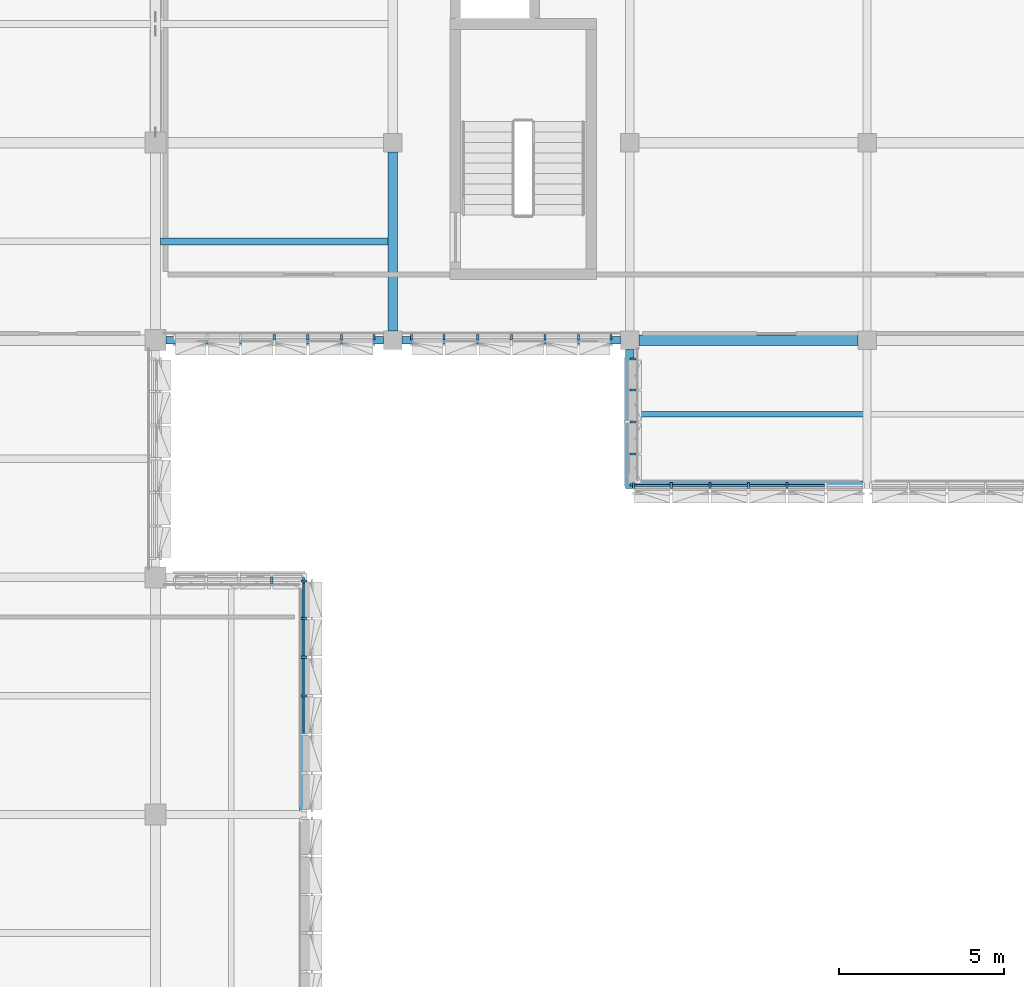
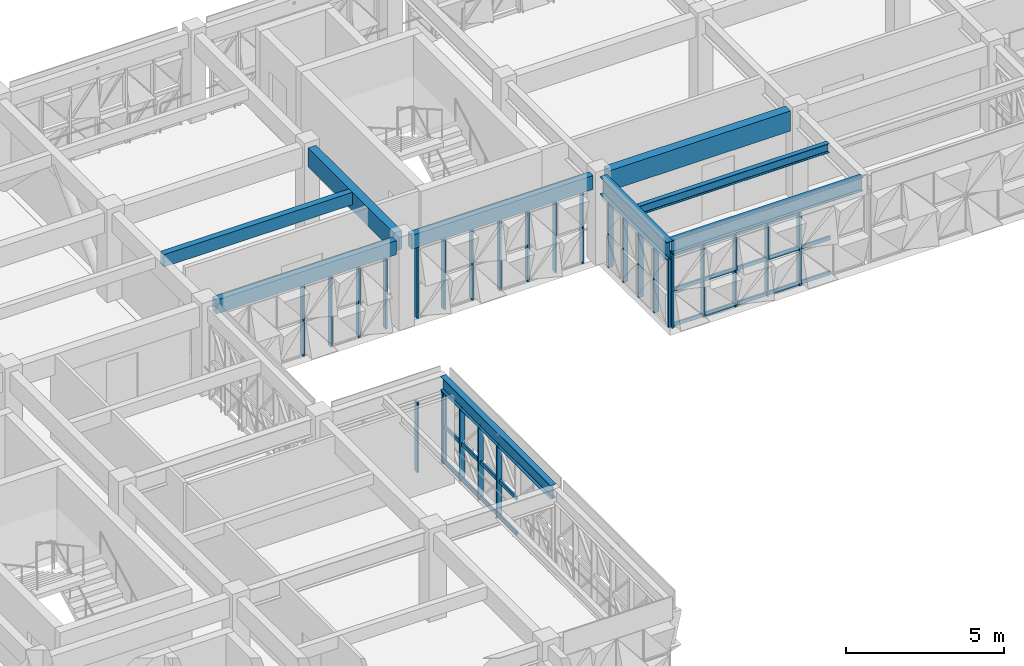
# One storey, part 8 of 85: 53 members, 9 beams, 6 elements without a shape of their own.
"""IFC4 building model written with IfcOpenShell, lengths in metres."""

from ifc_helpers import new_model, si_unit, direction, frame, origin, origin_2d, place, context, subcontext, project, spatial, rectangle, i_section, extrude, material, material_profile, profile_set, type_object, element, aggregate, save


model = new_model("IFC4")

# Units and contexts
model_context = context("Model", 3, precision=1e-05, world=origin(), true_north=direction((0.0, 1.0)))
body_context = subcontext(model_context, "Body", "Model", "MODEL_VIEW")
ifc_project = project(units=[si_unit("LENGTHUNIT", "METRE"), si_unit("AREAUNIT", "SQUARE_METRE"), si_unit("VOLUMEUNIT", "CUBIC_METRE"), si_unit("PLANEANGLEUNIT", "RADIAN"), si_unit("MASSUNIT", "GRAM", prefix="KILO")], contexts=[model_context])

# Site, building, storey
site_placement = place(None, origin())
site = spatial("IfcSite", under=ifc_project, at=site_placement, CompositionType="ELEMENT")
building_placement = place(site_placement, origin())
building = spatial("IfcBuilding", under=site, at=building_placement, Name="Alvorim Cloister Faculty of Sciences", CompositionType="ELEMENT")
storey_placement = place(building_placement, frame((0.0, 0.0, 8.550048828125)))
storey = spatial("IfcBuildingStorey", under=building, at=storey_placement, Name="L02", CompositionType="ELEMENT", Elevation=8.550048828125)

# Beams
ifc_material_1 = material(Name="Glulam GL32h", Category="wood")
ifc_material_profile_1 = material_profile(ifc_material_1, rectangle(XDim=0.300048828125, YDim=0.719970703125, at=origin_2d()), Name="GL32-BM-300x720")
ifc_profile_set_1 = profile_set([ifc_material_profile_1], Name="Glulam GL32h")
beam_type_1 = type_object("IfcBeamType", Name="BM-GL-300x720", PredefinedType="BEAM", material=ifc_profile_set_1)
beam_1_placement = place(storey_placement, frame((36.0, 43.47998046875, 3.030029296875), z_axis=(0.0, 1.0, 0.0), x_axis=(-1.0, 0.0, 0.0)))
element("IfcBeam", 1, at=beam_1_placement, inside=storey, type_object=beam_type_1, Name="L02 Primary Girder BM-1411", PredefinedType="BEAM", context=body_context, shape_type="SweptSolid", body=[
    extrude(rectangle(XDim=0.300048828125, YDim=0.719970703125, at=origin_2d()), origin(), (0.0, 0.0, 1.0), 5.43994140625),
])
ifc_material_profile_2 = material_profile(ifc_material_1, rectangle(XDim=0.320068359375, YDim=0.780029296875, at=origin_2d()), Name="GL32-BM-320x780")
ifc_profile_set_2 = profile_set([ifc_material_profile_2], Name="Glulam GL32h")
beam_type_2 = type_object("IfcBeamType", Name="BM-GL-320x780", PredefinedType="BEAM", material=ifc_profile_set_2)
beam_2_placement = place(storey_placement, frame((43.47998046875, 43.199951171875, 3.0), z_axis=(1.0, 0.0, 0.0), x_axis=(0.0, 1.0, 0.0)))
element("IfcBeam", 2, at=beam_2_placement, inside=storey, type_object=beam_type_2, Name="L02 Primary Beam BM-1294", PredefinedType="BEAM", context=body_context, shape_type="SweptSolid", body=[
    extrude(rectangle(XDim=0.320068359375, YDim=0.780029296875, at=origin_2d()), origin(), (0.0, 0.0, 1.0), 6.64013671875),
])
ifc_material_2 = material(Name="Glulam GL28h", Category="wood")
ifc_material_profile_3 = material_profile(ifc_material_2, rectangle(XDim=0.219970703125, YDim=0.47998046875, at=origin_2d()), Name="GL28-JST-220x480")
ifc_profile_set_3 = profile_set([ifc_material_profile_3], Name="Glulam GL28h")
beam_type_3 = type_object("IfcBeamType", Name="BM-JST-GL-220x480", PredefinedType="JOIST", material=ifc_profile_set_3)
beam_3_placement = place(storey_placement, frame((28.949951171875, 46.199951171875, 3.14990234375), z_axis=(1.0, 0.0, 0.0), x_axis=(0.0, 1.0, 0.0)))
element("IfcBeam", 3, at=beam_3_placement, inside=storey, type_object=beam_type_3, Name="L02 Secondary Floor Joist BM-1485", PredefinedType="JOIST", context=body_context, shape_type="SweptSolid", body=[
    extrude(rectangle(XDim=0.219970703125, YDim=0.47998046875, at=origin_2d()), origin(), (0.0, 0.0, 1.0), 6.900146484375),
])
ifc_material_profile_4 = material_profile(ifc_material_2, rectangle(XDim=0.239990234375, YDim=0.5400390625, at=origin_2d()), Name="GL28-SPD-240x540")
ifc_profile_set_4 = profile_set([ifc_material_profile_4], Name="Glulam GL28h")
beam_type_4 = type_object("IfcBeamType", Name="BM-SPD-GL-240x540", PredefinedType="SPANDREL", material=ifc_profile_set_4)
beam_4_placement = place(storey_placement, frame((29.1201171875, 43.199951171875, 3.119873046875), z_axis=(1.0, 0.0, 0.0), x_axis=(0.0, 1.0, 0.0)))
element("IfcBeam", 4, at=beam_4_placement, inside=storey, type_object=beam_type_4, Name="L02 Primary Beam BM-1292", PredefinedType="SPANDREL", context=body_context, shape_type="SweptSolid", body=[
    extrude(rectangle(XDim=0.239990234375, YDim=0.5400390625, at=origin_2d()), origin(), (0.0, 0.0, 1.0), 6.599853515625),
])
beam_5_placement = place(storey_placement, frame((36.280029296875, 43.199951171875, 3.119873046875), z_axis=(1.0, 0.0, 0.0), x_axis=(0.0, 1.0, 0.0)))
element("IfcBeam", 5, at=beam_5_placement, inside=storey, type_object=beam_type_4, Name="L02 Primary Beam BM-1293", PredefinedType="SPANDREL", context=body_context, shape_type="SweptSolid", body=[
    extrude(rectangle(XDim=0.239990234375, YDim=0.5400390625, at=origin_2d()), origin(), (0.0, 0.0, 1.0), 6.639892578125),
])
ifc_material_3 = material(Name="Steel ASTM A572 Grade 50", Category="steel")
ifc_material_profile_5 = material_profile(ifc_material_3, i_section(OverallWidth=0.1708984375, OverallDepth=0.35498046875, WebThickness=0.007080078125, FlangeThickness=0.01171875, FilletRadius=0.012939453125, at=origin_2d()), Name="W360x51.0")
ifc_profile_set_5 = profile_set([ifc_material_profile_5], Name="Steel ASTM A572 Grade 50")
beam_type_5 = type_object("IfcBeamType", Name="BM-STL-W360", PredefinedType="JOIST", material=ifc_profile_set_5)
beam_6_placement = place(storey_placement, frame((43.31005859375, 40.949951171875, 3.21240234375), z_axis=(1.0, 0.0, 0.0), x_axis=(0.0, 1.0, 0.0)))
element("IfcBeam", 6, at=beam_6_placement, inside=storey, type_object=beam_type_5, Name="L02 Cantilever Deck Joist BM-0048", PredefinedType="JOIST", context=body_context, shape_type="SweptSolid", body=[
    extrude(i_section(OverallWidth=0.1708984375, OverallDepth=0.35498046875, WebThickness=0.007080078125, FlangeThickness=0.01171875, FilletRadius=0.012939453125, at=origin_2d()), origin(), (0.0, 0.0, 1.0), 6.97998046875),
])
ifc_material_profile_6 = material_profile(ifc_material_3, i_section(OverallWidth=0.208984375, OverallDepth=0.532958984375, WebThickness=0.01025390625, FlangeThickness=0.015625, FilletRadius=0.01611328125, at=origin_2d()), Name="W530x92.0")
ifc_profile_set_6 = profile_set([ifc_material_profile_6], Name="Steel ASTM A572 Grade 50")
beam_type_6 = type_object("IfcBeamType", Name="BM-STL-W530", PredefinedType="BEAM", material=ifc_profile_set_6)
for number, where, z_axis, x_axis, name in (
    (7, (33.280029296875, 28.909912109375, 3.12353515625), (0.0, 1.0, 0.0), (-1.0, 0.0, 0.0), "L02 Cantilever Tip Header Girder BM-0019"),
    (8, (43.31005859375, 38.820068359375, 3.12353515625), (1.0, 0.0, 0.0), (0.0, 1.0, 0.0), "L02 Cantilever Tip Header Girder BM-0047"),
):
    element("IfcBeam", number, at=place(storey_placement, frame(where, z_axis=z_axis, x_axis=x_axis)), inside=storey, type_object=beam_type_6, Name=name, PredefinedType="BEAM", context=body_context, shape_type="SweptSolid", body=[
        extrude(i_section(OverallWidth=0.208984375, OverallDepth=0.532958984375, WebThickness=0.01025390625, FlangeThickness=0.015625, FilletRadius=0.01611328125, at=origin_2d()), origin(), (0.0, 0.0, 1.0), 6.97998046875),
    ])
ifc_material_profile_7 = material_profile(ifc_material_3, i_section(OverallWidth=0.25390625, OverallDepth=0.68408203125, WebThickness=0.012451171875, FlangeThickness=0.01904296875, FilletRadius=0.01904296875, at=origin_2d()), Name="W690x140.0")
ifc_profile_set_7 = profile_set([ifc_material_profile_7], Name="Steel ASTM A572 Grade 50")
beam_type_7 = type_object("IfcBeamType", Name="BM-STL-W690", PredefinedType="BEAM", material=ifc_profile_set_7)
beam_7_placement = place(storey_placement, frame((43.199951171875, 38.699951171875, 3.0478515625), z_axis=(0.0, 1.0, 0.0), x_axis=(-1.0, 0.0, 0.0)))
element("IfcBeam", 9, at=beam_7_placement, inside=storey, type_object=beam_type_7, Name="L02 Cantilever Overhang Girder BM-0042", PredefinedType="BEAM", context=body_context, shape_type="SweptSolid", body=[
    extrude(i_section(OverallWidth=0.25390625, OverallDepth=0.68408203125, WebThickness=0.012451171875, FlangeThickness=0.01904296875, FilletRadius=0.01904296875, at=origin_2d()), origin(), (0.0, 0.0, 1.0), 4.219970703125),
])

# Curtain wall, members
ifc_material_4 = material(Name="Aluminium and Low-E Glass Curtain Wall", Category="aluminium")
curtain_wall_type_1 = type_object("IfcCurtainWallType", Name="CW-TRI-7040x2857", PredefinedType="USERDEFINED", material=ifc_material_4)
curtain_wall_1_placement = place(storey_placement, origin())
curtain_wall_1 = element("IfcCurtainWall", 10, at=curtain_wall_1_placement, inside=storey, type_object=curtain_wall_type_1, Name="L02 Diagonal Cassette Curtain Wall CW-0066", ObjectType="UNITISED CURTAIN WALL", PredefinedType="USERDEFINED")
ifc_material_5 = material(Name="Aluminium Alloy 6063-T6", Category="aluminium")
ifc_material_profile_8 = material_profile(ifc_material_5, rectangle(XDim=0.06494140625, YDim=0.179931640625, at=origin_2d()), Name="ALU-MUL-65x180")
ifc_profile_set_8 = profile_set([ifc_material_profile_8], Name="Aluminium Alloy 6063-T6")
member_type_1 = type_object("IfcMemberType", Name="CW-MUL-65x180", PredefinedType="MULLION", material=ifc_profile_set_8)
member_1_placement = place(storey_placement, frame((43.3125, 38.7900390625, 0.0), z_axis=(0.0, 0.0, 1.0), x_axis=(1.0, 0.0, 0.0)))
member_1 = element("IfcMember", 11, at=member_1_placement, type_object=member_type_1, Name="CW-0066 Mullion 1", PredefinedType="MULLION", context=body_context, shape_type="SweptSolid", body=[
    extrude(rectangle(XDim=0.06494140625, YDim=0.179931640625, at=origin_2d()), origin(), (0.0, 0.0, 1.0), 2.85693359375),
])
member_2_placement = place(storey_placement, frame((44.453369140625, 38.7900390625, 0.0), z_axis=(0.0, 0.0, 1.0), x_axis=(1.0, 0.0, 0.0)))
member_2 = element("IfcMember", 12, at=member_2_placement, type_object=member_type_1, Name="CW-0066 Mullion 2", PredefinedType="MULLION", context=body_context, shape_type="SweptSolid", body=[
    extrude(rectangle(XDim=0.06494140625, YDim=0.179931640625, at=origin_2d()), origin(), (0.0, 0.0, 1.0), 2.85693359375),
])
member_3_placement = place(storey_placement, frame((45.626708984375, 38.7900390625, 0.0), z_axis=(0.0, 0.0, 1.0), x_axis=(1.0, 0.0, 0.0)))
member_3 = element("IfcMember", 13, at=member_3_placement, type_object=member_type_1, Name="CW-0066 Mullion 3", PredefinedType="MULLION", context=body_context, shape_type="SweptSolid", body=[
    extrude(rectangle(XDim=0.06494140625, YDim=0.179931640625, at=origin_2d()), origin(), (0.0, 0.0, 1.0), 2.85693359375),
])
member_4_placement = place(storey_placement, frame((46.800048828125, 38.7900390625, 0.0), z_axis=(0.0, 0.0, 1.0), x_axis=(1.0, 0.0, 0.0)))
member_4 = element("IfcMember", 14, at=member_4_placement, type_object=member_type_1, Name="CW-0066 Mullion 4", PredefinedType="MULLION", context=body_context, shape_type="SweptSolid", body=[
    extrude(rectangle(XDim=0.06494140625, YDim=0.179931640625, at=origin_2d()), origin(), (0.0, 0.0, 1.0), 2.85693359375),
])
member_5_placement = place(storey_placement, frame((47.973388671875, 38.7900390625, 0.0), z_axis=(0.0, 0.0, 1.0), x_axis=(1.0, 0.0, 0.0)))
member_5 = element("IfcMember", 15, at=member_5_placement, type_object=member_type_1, Name="CW-0066 Mullion 5", PredefinedType="MULLION", context=body_context, shape_type="SweptSolid", body=[
    extrude(rectangle(XDim=0.06494140625, YDim=0.179931640625, at=origin_2d()), origin(), (0.0, 0.0, 1.0), 2.85693359375),
])

curtain_wall_type_2 = type_object("IfcCurtainWallType", Name="CW-TRI-3880x2706", PredefinedType="USERDEFINED", material=ifc_material_4)
curtain_wall_2_placement = place(storey_placement, origin())
curtain_wall_2 = element("IfcCurtainWall", 16, at=curtain_wall_2_placement, inside=storey, type_object=curtain_wall_type_2, Name="L02 Diagonal Cassette Curtain Wall CW-0067", ObjectType="UNITISED CURTAIN WALL", PredefinedType="USERDEFINED")
member_6_placement = place(storey_placement, frame((43.2900390625, 38.8125, 0.0), z_axis=(0.0, 0.0, 1.0), x_axis=(0.0, 1.0, 0.0)))
member_6 = element("IfcMember", 17, at=member_6_placement, type_object=member_type_1, Name="CW-0067 Mullion 1", PredefinedType="MULLION", context=body_context, shape_type="SweptSolid", body=[
    extrude(rectangle(XDim=0.06494140625, YDim=0.179931640625, at=origin_2d()), origin(), (0.0, 0.0, 1.0), 2.7060546875),
])
member_7_placement = place(storey_placement, frame((43.2900390625, 39.75, 0.0), z_axis=(0.0, 0.0, 1.0), x_axis=(0.0, 1.0, 0.0)))
member_7 = element("IfcMember", 18, at=member_7_placement, type_object=member_type_1, Name="CW-0067 Mullion 2", PredefinedType="MULLION", context=body_context, shape_type="SweptSolid", body=[
    extrude(rectangle(XDim=0.06494140625, YDim=0.179931640625, at=origin_2d()), origin(), (0.0, 0.0, 1.0), 2.7060546875),
])
member_8_placement = place(storey_placement, frame((43.2900390625, 40.719970703125, 0.0), z_axis=(0.0, 0.0, 1.0), x_axis=(0.0, 1.0, 0.0)))
member_8 = element("IfcMember", 19, at=member_8_placement, type_object=member_type_1, Name="CW-0067 Mullion 3", PredefinedType="MULLION", context=body_context, shape_type="SweptSolid", body=[
    extrude(rectangle(XDim=0.06494140625, YDim=0.179931640625, at=origin_2d()), origin(), (0.0, 0.0, 1.0), 2.7060546875),
])
member_9_placement = place(storey_placement, frame((43.2900390625, 41.68994140625, 0.0), z_axis=(0.0, 0.0, 1.0), x_axis=(0.0, 1.0, 0.0)))
member_9 = element("IfcMember", 20, at=member_9_placement, type_object=member_type_1, Name="CW-0067 Mullion 4", PredefinedType="MULLION", context=body_context, shape_type="SweptSolid", body=[
    extrude(rectangle(XDim=0.06494140625, YDim=0.179931640625, at=origin_2d()), origin(), (0.0, 0.0, 1.0), 2.7060546875),
])
member_10_placement = place(storey_placement, frame((43.2900390625, 42.62744140625, 0.0), z_axis=(0.0, 0.0, 1.0), x_axis=(0.0, 1.0, 0.0)))
member_10 = element("IfcMember", 21, at=member_10_placement, type_object=member_type_1, Name="CW-0067 Mullion 5", PredefinedType="MULLION", context=body_context, shape_type="SweptSolid", body=[
    extrude(rectangle(XDim=0.06494140625, YDim=0.179931640625, at=origin_2d()), origin(), (0.0, 0.0, 1.0), 2.7060546875),
])
aggregate(curtain_wall_2, [member_6, member_7, member_8, member_9, member_10])

curtain_wall_type_3 = type_object("IfcCurtainWallType", Name="CW-TRI-6120x2850", PredefinedType="USERDEFINED", material=ifc_material_4)
curtain_wall_3_placement = place(storey_placement, origin())
curtain_wall_3 = element("IfcCurtainWall", 22, at=curtain_wall_3_placement, inside=storey, type_object=curtain_wall_type_3, Name="L02 Diagonal Cassette Curtain Wall CW-0068", ObjectType="UNITISED CURTAIN WALL", PredefinedType="USERDEFINED")
member_11_placement = place(storey_placement, frame((36.572509765625, 43.2900390625, 0.0), z_axis=(0.0, 0.0, 1.0), x_axis=(1.0, 0.0, 0.0)))
member_11 = element("IfcMember", 23, at=member_11_placement, type_object=member_type_1, Name="CW-0068 Mullion 1", PredefinedType="MULLION", context=body_context, shape_type="SweptSolid", body=[
    extrude(rectangle(XDim=0.06494140625, YDim=0.179931640625, at=origin_2d()), origin(), (0.0, 0.0, 1.0), 2.849853515625),
])
member_12_placement = place(storey_placement, frame((37.56005859375, 43.2900390625, 0.0), z_axis=(0.0, 0.0, 1.0), x_axis=(1.0, 0.0, 0.0)))
member_12 = element("IfcMember", 24, at=member_12_placement, type_object=member_type_1, Name="CW-0068 Mullion 2", PredefinedType="MULLION", context=body_context, shape_type="SweptSolid", body=[
    extrude(rectangle(XDim=0.06494140625, YDim=0.179931640625, at=origin_2d()), origin(), (0.0, 0.0, 1.0), 2.849853515625),
])
member_13_placement = place(storey_placement, frame((38.580078125, 43.2900390625, 0.0), z_axis=(0.0, 0.0, 1.0), x_axis=(1.0, 0.0, 0.0)))
member_13 = element("IfcMember", 25, at=member_13_placement, type_object=member_type_1, Name="CW-0068 Mullion 3", PredefinedType="MULLION", context=body_context, shape_type="SweptSolid", body=[
    extrude(rectangle(XDim=0.06494140625, YDim=0.179931640625, at=origin_2d()), origin(), (0.0, 0.0, 1.0), 2.849853515625),
])
member_14_placement = place(storey_placement, frame((39.60009765625, 43.2900390625, 0.0), z_axis=(0.0, 0.0, 1.0), x_axis=(1.0, 0.0, 0.0)))
member_14 = element("IfcMember", 26, at=member_14_placement, type_object=member_type_1, Name="CW-0068 Mullion 4", PredefinedType="MULLION", context=body_context, shape_type="SweptSolid", body=[
    extrude(rectangle(XDim=0.06494140625, YDim=0.179931640625, at=origin_2d()), origin(), (0.0, 0.0, 1.0), 2.849853515625),
])
member_15_placement = place(storey_placement, frame((40.6201171875, 43.2900390625, 0.0), z_axis=(0.0, 0.0, 1.0), x_axis=(1.0, 0.0, 0.0)))
member_15 = element("IfcMember", 27, at=member_15_placement, type_object=member_type_1, Name="CW-0068 Mullion 5", PredefinedType="MULLION", context=body_context, shape_type="SweptSolid", body=[
    extrude(rectangle(XDim=0.06494140625, YDim=0.179931640625, at=origin_2d()), origin(), (0.0, 0.0, 1.0), 2.849853515625),
])
member_16_placement = place(storey_placement, frame((41.639892578125, 43.2900390625, 0.0), z_axis=(0.0, 0.0, 1.0), x_axis=(1.0, 0.0, 0.0)))
member_16 = element("IfcMember", 28, at=member_16_placement, type_object=member_type_1, Name="CW-0068 Mullion 6", PredefinedType="MULLION", context=body_context, shape_type="SweptSolid", body=[
    extrude(rectangle(XDim=0.06494140625, YDim=0.179931640625, at=origin_2d()), origin(), (0.0, 0.0, 1.0), 2.849853515625),
])
member_17_placement = place(storey_placement, frame((42.62744140625, 43.2900390625, 0.0), z_axis=(0.0, 0.0, 1.0), x_axis=(1.0, 0.0, 0.0)))
member_17 = element("IfcMember", 29, at=member_17_placement, type_object=member_type_1, Name="CW-0068 Mullion 7", PredefinedType="MULLION", context=body_context, shape_type="SweptSolid", body=[
    extrude(rectangle(XDim=0.06494140625, YDim=0.179931640625, at=origin_2d()), origin(), (0.0, 0.0, 1.0), 2.849853515625),
])
aggregate(curtain_wall_3, [member_11, member_12, member_13, member_14, member_15, member_16, member_17])

curtain_wall_4_placement = place(storey_placement, origin())
curtain_wall_4 = element("IfcCurtainWall", 30, at=curtain_wall_4_placement, inside=storey, type_object=curtain_wall_type_3, Name="L02 Diagonal Cassette Curtain Wall CW-0069", ObjectType="UNITISED CURTAIN WALL", PredefinedType="USERDEFINED")
member_18_placement = place(storey_placement, frame((32.39990234375, 43.2900390625, 0.0), z_axis=(0.0, 0.0, 1.0), x_axis=(1.0, 0.0, 0.0)))
member_18 = element("IfcMember", 31, at=member_18_placement, type_object=member_type_1, Name="CW-0069 Mullion 4", PredefinedType="MULLION", context=body_context, shape_type="SweptSolid", body=[
    extrude(rectangle(XDim=0.06494140625, YDim=0.179931640625, at=origin_2d()), origin(), (0.0, 0.0, 1.0), 2.849853515625),
])
member_19_placement = place(storey_placement, frame((33.419921875, 43.2900390625, 0.0), z_axis=(0.0, 0.0, 1.0), x_axis=(1.0, 0.0, 0.0)))
member_19 = element("IfcMember", 32, at=member_19_placement, type_object=member_type_1, Name="CW-0069 Mullion 5", PredefinedType="MULLION", context=body_context, shape_type="SweptSolid", body=[
    extrude(rectangle(XDim=0.06494140625, YDim=0.179931640625, at=origin_2d()), origin(), (0.0, 0.0, 1.0), 2.849853515625),
])
member_20_placement = place(storey_placement, frame((34.43994140625, 43.2900390625, 0.0), z_axis=(0.0, 0.0, 1.0), x_axis=(1.0, 0.0, 0.0)))
member_20 = element("IfcMember", 33, at=member_20_placement, type_object=member_type_1, Name="CW-0069 Mullion 6", PredefinedType="MULLION", context=body_context, shape_type="SweptSolid", body=[
    extrude(rectangle(XDim=0.06494140625, YDim=0.179931640625, at=origin_2d()), origin(), (0.0, 0.0, 1.0), 2.849853515625),
])
member_21_placement = place(storey_placement, frame((35.427490234375, 43.2900390625, 0.0), z_axis=(0.0, 0.0, 1.0), x_axis=(1.0, 0.0, 0.0)))
member_21 = element("IfcMember", 34, at=member_21_placement, type_object=member_type_1, Name="CW-0069 Mullion 7", PredefinedType="MULLION", context=body_context, shape_type="SweptSolid", body=[
    extrude(rectangle(XDim=0.06494140625, YDim=0.179931640625, at=origin_2d()), origin(), (0.0, 0.0, 1.0), 2.849853515625),
])
aggregate(curtain_wall_4, [member_18, member_19, member_20, member_21])

curtain_wall_type_4 = type_object("IfcCurtainWallType", Name="CW-TRI-3980x2706", PredefinedType="USERDEFINED", material=ifc_material_4)
curtain_wall_5_placement = place(storey_placement, origin())
curtain_wall_5 = element("IfcCurtainWall", 35, at=curtain_wall_5_placement, inside=storey, type_object=curtain_wall_type_4, Name="L02 Diagonal Cassette Curtain Wall CW-0071", ObjectType="UNITISED CURTAIN WALL", PredefinedType="USERDEFINED")
member_22_placement = place(storey_placement, frame((32.324951171875, 35.909912109375, 0.0), z_axis=(0.0, 0.0, 1.0), x_axis=(1.0, 0.0, 0.0)))
member_22 = element("IfcMember", 36, at=member_22_placement, type_object=member_type_1, Name="CW-0071 Mullion 4", PredefinedType="MULLION", context=body_context, shape_type="SweptSolid", body=[
    extrude(rectangle(XDim=0.06494140625, YDim=0.179931640625, at=origin_2d()), origin(), (0.0, 0.0, 1.0), 2.7060546875),
])
member_23_placement = place(storey_placement, frame((33.28759765625, 35.909912109375, 0.0), z_axis=(0.0, 0.0, 1.0), x_axis=(1.0, 0.0, 0.0)))
member_23 = element("IfcMember", 37, at=member_23_placement, type_object=member_type_1, Name="CW-0071 Mullion 5", PredefinedType="MULLION", context=body_context, shape_type="SweptSolid", body=[
    extrude(rectangle(XDim=0.06494140625, YDim=0.179931640625, at=origin_2d()), origin(), (0.0, 0.0, 1.0), 2.7060546875),
])
aggregate(curtain_wall_5, [member_22, member_23])

curtain_wall_6_placement = place(storey_placement, origin())
curtain_wall_6 = element("IfcCurtainWall", 38, at=curtain_wall_6_placement, inside=storey, type_object=curtain_wall_type_1, Name="L02 Diagonal Cassette Curtain Wall CW-0072", ObjectType="UNITISED CURTAIN WALL", PredefinedType="USERDEFINED")
member_24_placement = place(storey_placement, frame((33.31005859375, 32.39990234375, 0.0), z_axis=(0.0, 0.0, 1.0), x_axis=(0.0, 1.0, 0.0)))
member_24 = element("IfcMember", 39, at=member_24_placement, type_object=member_type_1, Name="CW-0072 Mullion 4", PredefinedType="MULLION", context=body_context, shape_type="SweptSolid", body=[
    extrude(rectangle(XDim=0.06494140625, YDim=0.179931640625, at=origin_2d()), origin(), (0.0, 0.0, 1.0), 2.85693359375),
])
member_25_placement = place(storey_placement, frame((33.31005859375, 33.5732421875, 0.0), z_axis=(0.0, 0.0, 1.0), x_axis=(0.0, 1.0, 0.0)))
member_25 = element("IfcMember", 40, at=member_25_placement, type_object=member_type_1, Name="CW-0072 Mullion 5", PredefinedType="MULLION", context=body_context, shape_type="SweptSolid", body=[
    extrude(rectangle(XDim=0.06494140625, YDim=0.179931640625, at=origin_2d()), origin(), (0.0, 0.0, 1.0), 2.85693359375),
])
member_26_placement = place(storey_placement, frame((33.31005859375, 34.74658203125, 0.0), z_axis=(0.0, 0.0, 1.0), x_axis=(0.0, 1.0, 0.0)))
member_26 = element("IfcMember", 41, at=member_26_placement, type_object=member_type_1, Name="CW-0072 Mullion 6", PredefinedType="MULLION", context=body_context, shape_type="SweptSolid", body=[
    extrude(rectangle(XDim=0.06494140625, YDim=0.179931640625, at=origin_2d()), origin(), (0.0, 0.0, 1.0), 2.85693359375),
])
member_27_placement = place(storey_placement, frame((33.31005859375, 35.887451171875, 0.0), z_axis=(0.0, 0.0, 1.0), x_axis=(0.0, 1.0, 0.0)))
member_27 = element("IfcMember", 42, at=member_27_placement, type_object=member_type_1, Name="CW-0072 Mullion 7", PredefinedType="MULLION", context=body_context, shape_type="SweptSolid", body=[
    extrude(rectangle(XDim=0.06494140625, YDim=0.179931640625, at=origin_2d()), origin(), (0.0, 0.0, 1.0), 2.85693359375),
])

# Member
ifc_material_profile_9 = material_profile(ifc_material_5, rectangle(XDim=0.06494140625, YDim=0.139892578125, at=origin_2d()), Name="ALU-TRN-65x140")
ifc_profile_set_9 = profile_set([ifc_material_profile_9], Name="Aluminium Alloy 6063-T6")
member_type_2 = type_object("IfcMemberType", Name="CW-TRN-65x140", PredefinedType="USERDEFINED", material=ifc_profile_set_9)
member_28_placement = place(storey_placement, frame((43.344970703125, 38.7900390625, 0.070068359375), z_axis=(1.0, 0.0, 0.0), x_axis=(0.0, 1.0, 0.0)))
member_28 = element("IfcMember", 43, at=member_28_placement, type_object=member_type_2, Name="CW-0066 Transom 1.1", ObjectType="TRANSOM", PredefinedType="USERDEFINED", context=body_context, shape_type="SweptSolid", body=[
    extrude(rectangle(XDim=0.06494140625, YDim=0.139892578125, at=origin_2d()), origin(), (0.0, 0.0, 1.0), 1.075927734375),
])

member_29_placement = place(storey_placement, frame((43.344970703125, 38.7900390625, 1.428466796875), z_axis=(1.0, 0.0, 0.0), x_axis=(0.0, 1.0, 0.0)))
member_29 = element("IfcMember", 44, at=member_29_placement, type_object=member_type_2, Name="CW-0066 Transom 1.2", ObjectType="TRANSOM", PredefinedType="USERDEFINED", context=body_context, shape_type="SweptSolid", body=[
    extrude(rectangle(XDim=0.06494140625, YDim=0.139892578125, at=origin_2d()), origin(), (0.0, 0.0, 1.0), 1.075927734375),
])

member_30_placement = place(storey_placement, frame((43.344970703125, 38.7900390625, 2.786865234375), z_axis=(1.0, 0.0, 0.0), x_axis=(0.0, 1.0, 0.0)))
member_30 = element("IfcMember", 45, at=member_30_placement, type_object=member_type_2, Name="CW-0066 Transom 1.3", ObjectType="TRANSOM", PredefinedType="USERDEFINED", context=body_context, shape_type="SweptSolid", body=[
    extrude(rectangle(XDim=0.06494140625, YDim=0.139892578125, at=origin_2d()), origin(), (0.0, 0.0, 1.0), 1.075927734375),
])

member_31_placement = place(storey_placement, frame((44.48583984375, 38.7900390625, 0.070068359375), z_axis=(1.0, 0.0, 0.0), x_axis=(0.0, 1.0, 0.0)))
member_31 = element("IfcMember", 46, at=member_31_placement, type_object=member_type_2, Name="CW-0066 Transom 2.1", ObjectType="TRANSOM", PredefinedType="USERDEFINED", context=body_context, shape_type="SweptSolid", body=[
    extrude(rectangle(XDim=0.06494140625, YDim=0.139892578125, at=origin_2d()), origin(), (0.0, 0.0, 1.0), 1.1083984375),
])

member_32_placement = place(storey_placement, frame((44.48583984375, 38.7900390625, 1.428466796875), z_axis=(1.0, 0.0, 0.0), x_axis=(0.0, 1.0, 0.0)))
member_32 = element("IfcMember", 47, at=member_32_placement, type_object=member_type_2, Name="CW-0066 Transom 2.2", ObjectType="TRANSOM", PredefinedType="USERDEFINED", context=body_context, shape_type="SweptSolid", body=[
    extrude(rectangle(XDim=0.06494140625, YDim=0.139892578125, at=origin_2d()), origin(), (0.0, 0.0, 1.0), 1.1083984375),
])

member_33_placement = place(storey_placement, frame((44.48583984375, 38.7900390625, 2.786865234375), z_axis=(1.0, 0.0, 0.0), x_axis=(0.0, 1.0, 0.0)))
member_33 = element("IfcMember", 48, at=member_33_placement, type_object=member_type_2, Name="CW-0066 Transom 2.3", ObjectType="TRANSOM", PredefinedType="USERDEFINED", context=body_context, shape_type="SweptSolid", body=[
    extrude(rectangle(XDim=0.06494140625, YDim=0.139892578125, at=origin_2d()), origin(), (0.0, 0.0, 1.0), 1.1083984375),
])

member_34_placement = place(storey_placement, frame((45.6591796875, 38.7900390625, 0.070068359375), z_axis=(1.0, 0.0, 0.0), x_axis=(0.0, 1.0, 0.0)))
member_34 = element("IfcMember", 49, at=member_34_placement, type_object=member_type_2, Name="CW-0066 Transom 3.1", ObjectType="TRANSOM", PredefinedType="USERDEFINED", context=body_context, shape_type="SweptSolid", body=[
    extrude(rectangle(XDim=0.06494140625, YDim=0.139892578125, at=origin_2d()), origin(), (0.0, 0.0, 1.0), 1.1083984375),
])

member_35_placement = place(storey_placement, frame((45.6591796875, 38.7900390625, 1.428466796875), z_axis=(1.0, 0.0, 0.0), x_axis=(0.0, 1.0, 0.0)))
member_35 = element("IfcMember", 50, at=member_35_placement, type_object=member_type_2, Name="CW-0066 Transom 3.2", ObjectType="TRANSOM", PredefinedType="USERDEFINED", context=body_context, shape_type="SweptSolid", body=[
    extrude(rectangle(XDim=0.06494140625, YDim=0.139892578125, at=origin_2d()), origin(), (0.0, 0.0, 1.0), 1.1083984375),
])

member_36_placement = place(storey_placement, frame((45.6591796875, 38.7900390625, 2.786865234375), z_axis=(1.0, 0.0, 0.0), x_axis=(0.0, 1.0, 0.0)))
member_36 = element("IfcMember", 51, at=member_36_placement, type_object=member_type_2, Name="CW-0066 Transom 3.3", ObjectType="TRANSOM", PredefinedType="USERDEFINED", context=body_context, shape_type="SweptSolid", body=[
    extrude(rectangle(XDim=0.06494140625, YDim=0.139892578125, at=origin_2d()), origin(), (0.0, 0.0, 1.0), 1.1083984375),
])

member_37_placement = place(storey_placement, frame((46.83251953125, 38.7900390625, 0.070068359375), z_axis=(1.0, 0.0, 0.0), x_axis=(0.0, 1.0, 0.0)))
member_37 = element("IfcMember", 52, at=member_37_placement, type_object=member_type_2, Name="CW-0066 Transom 4.1", ObjectType="TRANSOM", PredefinedType="USERDEFINED", context=body_context, shape_type="SweptSolid", body=[
    extrude(rectangle(XDim=0.06494140625, YDim=0.139892578125, at=origin_2d()), origin(), (0.0, 0.0, 1.0), 1.1083984375),
])

member_38_placement = place(storey_placement, frame((46.83251953125, 38.7900390625, 1.428466796875), z_axis=(1.0, 0.0, 0.0), x_axis=(0.0, 1.0, 0.0)))
member_38 = element("IfcMember", 53, at=member_38_placement, type_object=member_type_2, Name="CW-0066 Transom 4.2", ObjectType="TRANSOM", PredefinedType="USERDEFINED", context=body_context, shape_type="SweptSolid", body=[
    extrude(rectangle(XDim=0.06494140625, YDim=0.139892578125, at=origin_2d()), origin(), (0.0, 0.0, 1.0), 1.1083984375),
])

member_39_placement = place(storey_placement, frame((46.83251953125, 38.7900390625, 2.786865234375), z_axis=(1.0, 0.0, 0.0), x_axis=(0.0, 1.0, 0.0)))
member_39 = element("IfcMember", 54, at=member_39_placement, type_object=member_type_2, Name="CW-0066 Transom 4.3", ObjectType="TRANSOM", PredefinedType="USERDEFINED", context=body_context, shape_type="SweptSolid", body=[
    extrude(rectangle(XDim=0.06494140625, YDim=0.139892578125, at=origin_2d()), origin(), (0.0, 0.0, 1.0), 1.1083984375),
])

member_40_placement = place(storey_placement, frame((48.005859375, 38.7900390625, 0.070068359375), z_axis=(1.0, 0.0, 0.0), x_axis=(0.0, 1.0, 0.0)))
member_40 = element("IfcMember", 55, at=member_40_placement, type_object=member_type_2, Name="CW-0066 Transom 5.1", ObjectType="TRANSOM", PredefinedType="USERDEFINED", context=body_context, shape_type="SweptSolid", body=[
    extrude(rectangle(XDim=0.06494140625, YDim=0.139892578125, at=origin_2d()), origin(), (0.0, 0.0, 1.0), 1.1083984375),
])

member_41_placement = place(storey_placement, frame((48.005859375, 38.7900390625, 1.428466796875), z_axis=(1.0, 0.0, 0.0), x_axis=(0.0, 1.0, 0.0)))
member_41 = element("IfcMember", 56, at=member_41_placement, type_object=member_type_2, Name="CW-0066 Transom 5.2", ObjectType="TRANSOM", PredefinedType="USERDEFINED", context=body_context, shape_type="SweptSolid", body=[
    extrude(rectangle(XDim=0.06494140625, YDim=0.139892578125, at=origin_2d()), origin(), (0.0, 0.0, 1.0), 1.1083984375),
])

aggregate(curtain_wall_1, [member_1, member_2, member_3, member_4, member_5, member_28, member_29, member_30, member_31, member_32, member_33, member_34, member_35, member_36, member_37, member_38, member_39, member_40, member_41])

member_42_placement = place(storey_placement, frame((33.31005859375, 31.25927734375, 0.070068359375), z_axis=(0.0, 1.0, 0.0), x_axis=(-1.0, 0.0, 0.0)))
member_42 = element("IfcMember", 57, at=member_42_placement, type_object=member_type_2, Name="CW-0072 Transom 3.1", ObjectType="TRANSOM", PredefinedType="USERDEFINED", context=body_context, shape_type="SweptSolid", body=[
    extrude(rectangle(XDim=0.06494140625, YDim=0.139892578125, at=origin_2d()), origin(), (0.0, 0.0, 1.0), 1.108154296875),
])

member_43_placement = place(storey_placement, frame((33.31005859375, 31.25927734375, 1.428466796875), z_axis=(0.0, 1.0, 0.0), x_axis=(-1.0, 0.0, 0.0)))
member_43 = element("IfcMember", 58, at=member_43_placement, type_object=member_type_2, Name="CW-0072 Transom 3.2", ObjectType="TRANSOM", PredefinedType="USERDEFINED", context=body_context, shape_type="SweptSolid", body=[
    extrude(rectangle(XDim=0.06494140625, YDim=0.139892578125, at=origin_2d()), origin(), (0.0, 0.0, 1.0), 1.108154296875),
])

member_44_placement = place(storey_placement, frame((33.31005859375, 31.25927734375, 2.786865234375), z_axis=(0.0, 1.0, 0.0), x_axis=(-1.0, 0.0, 0.0)))
member_44 = element("IfcMember", 59, at=member_44_placement, type_object=member_type_2, Name="CW-0072 Transom 3.3", ObjectType="TRANSOM", PredefinedType="USERDEFINED", context=body_context, shape_type="SweptSolid", body=[
    extrude(rectangle(XDim=0.06494140625, YDim=0.139892578125, at=origin_2d()), origin(), (0.0, 0.0, 1.0), 1.108154296875),
])

member_45_placement = place(storey_placement, frame((33.31005859375, 32.4326171875, 0.070068359375), z_axis=(0.0, 1.0, 0.0), x_axis=(-1.0, 0.0, 0.0)))
member_45 = element("IfcMember", 60, at=member_45_placement, type_object=member_type_2, Name="CW-0072 Transom 4.1", ObjectType="TRANSOM", PredefinedType="USERDEFINED", context=body_context, shape_type="SweptSolid", body=[
    extrude(rectangle(XDim=0.06494140625, YDim=0.139892578125, at=origin_2d()), origin(), (0.0, 0.0, 1.0), 1.108154296875),
])

member_46_placement = place(storey_placement, frame((33.31005859375, 32.4326171875, 1.428466796875), z_axis=(0.0, 1.0, 0.0), x_axis=(-1.0, 0.0, 0.0)))
member_46 = element("IfcMember", 61, at=member_46_placement, type_object=member_type_2, Name="CW-0072 Transom 4.2", ObjectType="TRANSOM", PredefinedType="USERDEFINED", context=body_context, shape_type="SweptSolid", body=[
    extrude(rectangle(XDim=0.06494140625, YDim=0.139892578125, at=origin_2d()), origin(), (0.0, 0.0, 1.0), 1.108154296875),
])

member_47_placement = place(storey_placement, frame((33.31005859375, 32.4326171875, 2.786865234375), z_axis=(0.0, 1.0, 0.0), x_axis=(-1.0, 0.0, 0.0)))
member_47 = element("IfcMember", 62, at=member_47_placement, type_object=member_type_2, Name="CW-0072 Transom 4.3", ObjectType="TRANSOM", PredefinedType="USERDEFINED", context=body_context, shape_type="SweptSolid", body=[
    extrude(rectangle(XDim=0.06494140625, YDim=0.139892578125, at=origin_2d()), origin(), (0.0, 0.0, 1.0), 1.108154296875),
])

member_48_placement = place(storey_placement, frame((33.31005859375, 33.605712890625, 0.070068359375), z_axis=(0.0, 1.0, 0.0), x_axis=(-1.0, 0.0, 0.0)))
member_48 = element("IfcMember", 63, at=member_48_placement, type_object=member_type_2, Name="CW-0072 Transom 5.1", ObjectType="TRANSOM", PredefinedType="USERDEFINED", context=body_context, shape_type="SweptSolid", body=[
    extrude(rectangle(XDim=0.06494140625, YDim=0.139892578125, at=origin_2d()), origin(), (0.0, 0.0, 1.0), 1.1083984375),
])

member_49_placement = place(storey_placement, frame((33.31005859375, 33.605712890625, 1.428466796875), z_axis=(0.0, 1.0, 0.0), x_axis=(-1.0, 0.0, 0.0)))
member_49 = element("IfcMember", 64, at=member_49_placement, type_object=member_type_2, Name="CW-0072 Transom 5.2", ObjectType="TRANSOM", PredefinedType="USERDEFINED", context=body_context, shape_type="SweptSolid", body=[
    extrude(rectangle(XDim=0.06494140625, YDim=0.139892578125, at=origin_2d()), origin(), (0.0, 0.0, 1.0), 1.1083984375),
])

member_50_placement = place(storey_placement, frame((33.31005859375, 33.605712890625, 2.786865234375), z_axis=(0.0, 1.0, 0.0), x_axis=(-1.0, 0.0, 0.0)))
member_50 = element("IfcMember", 65, at=member_50_placement, type_object=member_type_2, Name="CW-0072 Transom 5.3", ObjectType="TRANSOM", PredefinedType="USERDEFINED", context=body_context, shape_type="SweptSolid", body=[
    extrude(rectangle(XDim=0.06494140625, YDim=0.139892578125, at=origin_2d()), origin(), (0.0, 0.0, 1.0), 1.1083984375),
])

member_51_placement = place(storey_placement, frame((33.31005859375, 34.779052734375, 0.070068359375), z_axis=(0.0, 1.0, 0.0), x_axis=(-1.0, 0.0, 0.0)))
member_51 = element("IfcMember", 66, at=member_51_placement, type_object=member_type_2, Name="CW-0072 Transom 6.1", ObjectType="TRANSOM", PredefinedType="USERDEFINED", context=body_context, shape_type="SweptSolid", body=[
    extrude(rectangle(XDim=0.06494140625, YDim=0.139892578125, at=origin_2d()), origin(), (0.0, 0.0, 1.0), 1.075927734375),
])

member_52_placement = place(storey_placement, frame((33.31005859375, 34.779052734375, 1.428466796875), z_axis=(0.0, 1.0, 0.0), x_axis=(-1.0, 0.0, 0.0)))
member_52 = element("IfcMember", 67, at=member_52_placement, type_object=member_type_2, Name="CW-0072 Transom 6.2", ObjectType="TRANSOM", PredefinedType="USERDEFINED", context=body_context, shape_type="SweptSolid", body=[
    extrude(rectangle(XDim=0.06494140625, YDim=0.139892578125, at=origin_2d()), origin(), (0.0, 0.0, 1.0), 1.075927734375),
])

member_53_placement = place(storey_placement, frame((33.31005859375, 34.779052734375, 2.786865234375), z_axis=(0.0, 1.0, 0.0), x_axis=(-1.0, 0.0, 0.0)))
member_53 = element("IfcMember", 68, at=member_53_placement, type_object=member_type_2, Name="CW-0072 Transom 6.3", ObjectType="TRANSOM", PredefinedType="USERDEFINED", context=body_context, shape_type="SweptSolid", body=[
    extrude(rectangle(XDim=0.06494140625, YDim=0.139892578125, at=origin_2d()), origin(), (0.0, 0.0, 1.0), 1.075927734375),
])

aggregate(curtain_wall_6, [member_24, member_25, member_26, member_27, member_42, member_43, member_44, member_45, member_46, member_47, member_48, member_49, member_50, member_51, member_52, member_53])

save(model, "model.ifc")
